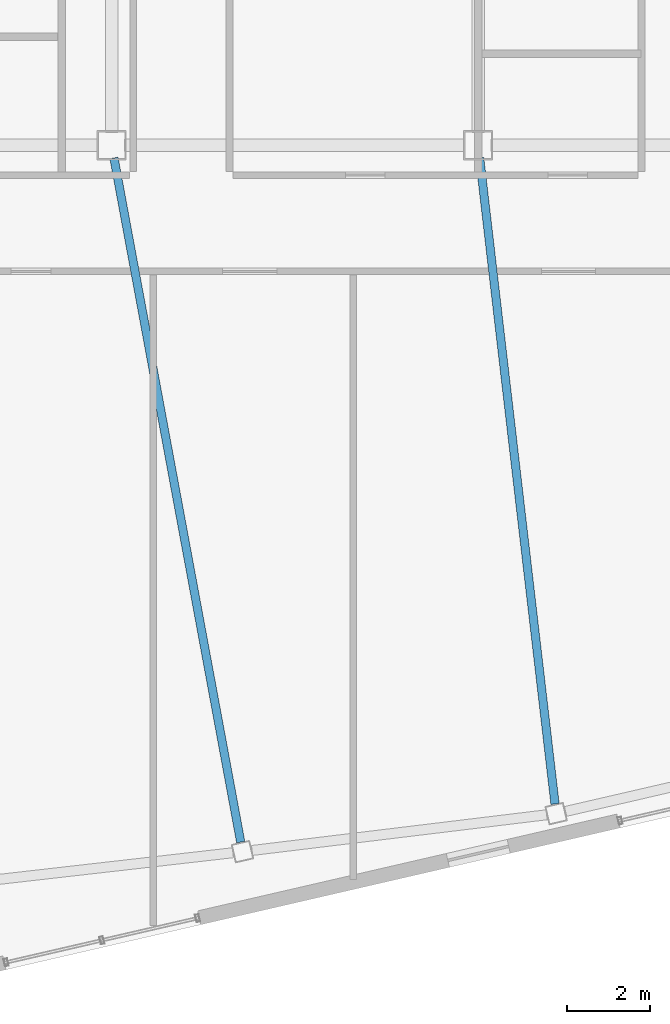
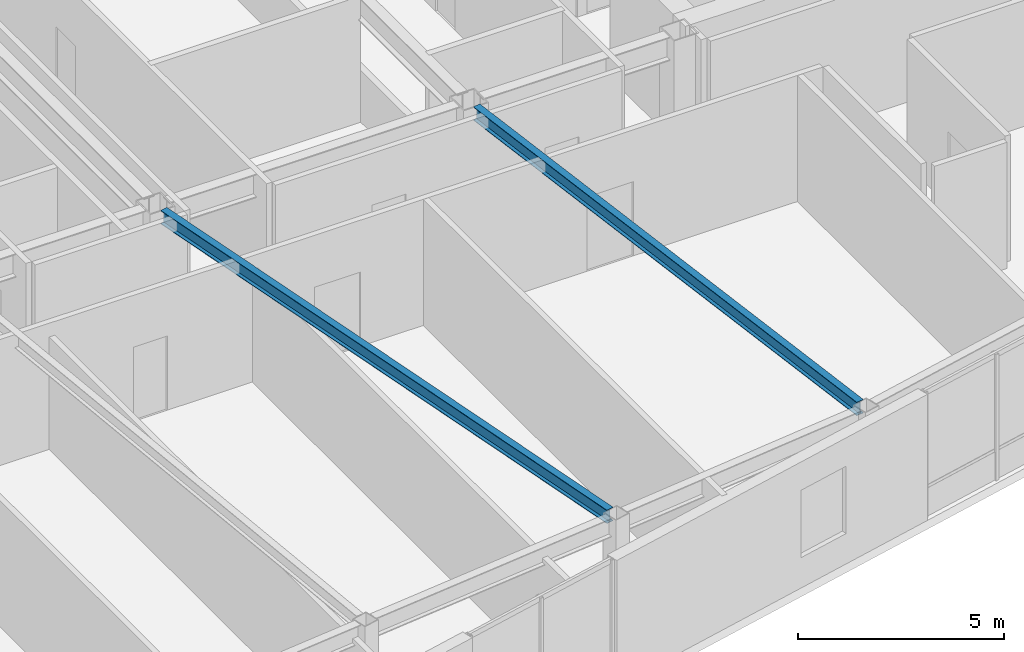
# One storey, part 10 of 24: 2 beams.
"""IFC4 building model written with IfcOpenShell, lengths in metres."""

from ifc_helpers import new_model, si_unit, direction, frame, origin, origin_2d, place, context, subcontext, project, spatial, i_section, extrude, material, material_profile, profile_set, type_object, element, save


model = new_model("IFC4")

# Units and contexts
model_context = context("Model", 3, precision=1e-05, world=origin(), true_north=direction((0.0, 1.0)))
body_context = subcontext(model_context, "Body", "Model", "MODEL_VIEW")
ifc_project = project(units=[si_unit("LENGTHUNIT", "METRE"), si_unit("AREAUNIT", "SQUARE_METRE"), si_unit("VOLUMEUNIT", "CUBIC_METRE"), si_unit("PLANEANGLEUNIT", "RADIAN"), si_unit("MASSUNIT", "GRAM", prefix="KILO")], contexts=[model_context])

# Site, building, storey
site_placement = place(None, origin())
site = spatial("IfcSite", under=ifc_project, at=site_placement, CompositionType="ELEMENT")
building_placement = place(site_placement, origin())
building = spatial("IfcBuilding", under=site, at=building_placement, Name="Tavrogorsk Clinical Tower", CompositionType="ELEMENT")
storey_placement = place(building_placement, frame((0.0, 0.0, 309.0)))
storey = spatial("IfcBuildingStorey", under=building, at=storey_placement, Name="L72", CompositionType="ELEMENT", Elevation=309.0)

# Beams
ifc_material = material(Name="Structural steel S355", Category="steel")
ifc_material_profile = material_profile(ifc_material, i_section(OverallWidth=0.199951171875, OverallDepth=0.39990234375, WebThickness=0.010498046875, FlangeThickness=0.01611328125, at=origin_2d()), Name="B-400x200x10.5x16")
ifc_profile_set = profile_set([ifc_material_profile], Name="Structural steel S355")
beam_type = type_object("IfcBeamType", Name="FloorBeam_B400", PredefinedType="BEAM", material=ifc_profile_set)
beam_1_placement = place(storey_placement, frame((-4.343505859375, -6.65478515625, 3.5400390625), z_axis=(0.182181887688, -0.98326484723, 0.0), x_axis=(0.98326484723, 0.182181887688, 0.0)))
element("IfcBeam", 1, at=beam_1_placement, inside=storey, type_object=beam_type, Name="L72 Radial Floor Beam S4", PredefinedType="BEAM", context=body_context, shape_type="SweptSolid", body=[
    extrude(i_section(OverallWidth=0.199951171875, OverallDepth=0.39990234375, WebThickness=0.010498046875, FlangeThickness=0.01611328125, at=origin_2d()), origin(), (0.0, 0.0, 1.0), 16.70556640625),
])
beam_2_placement = place(storey_placement, frame((4.43603515625, -6.657958984375, 3.5400390625), z_axis=(0.115903069025, -0.993260529061, 0.0), x_axis=(0.993260529061, 0.115903069025, 0.0)))
element("IfcBeam", 2, at=beam_2_placement, inside=storey, type_object=beam_type, Name="L72 Radial Floor Beam S5", PredefinedType="BEAM", context=body_context, shape_type="SweptSolid", body=[
    extrude(i_section(OverallWidth=0.199951171875, OverallDepth=0.39990234375, WebThickness=0.010498046875, FlangeThickness=0.01611328125, at=origin_2d()), origin(), (0.0, 0.0, 1.0), 15.61279296875),
])

save(model, "model.ifc")
